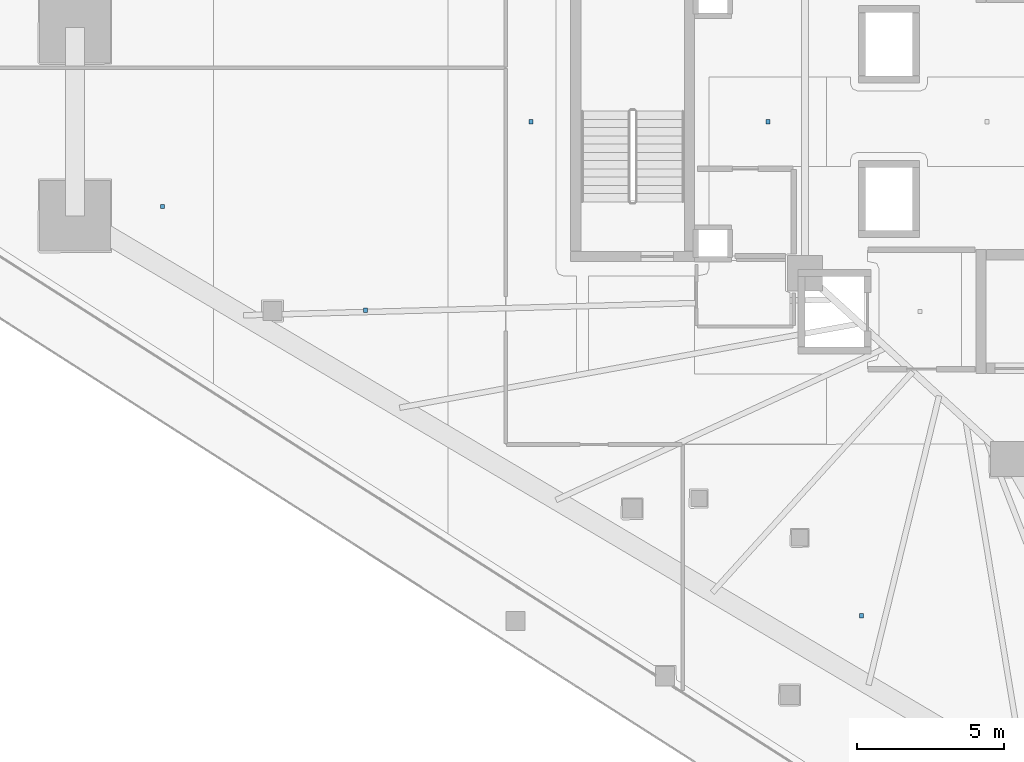
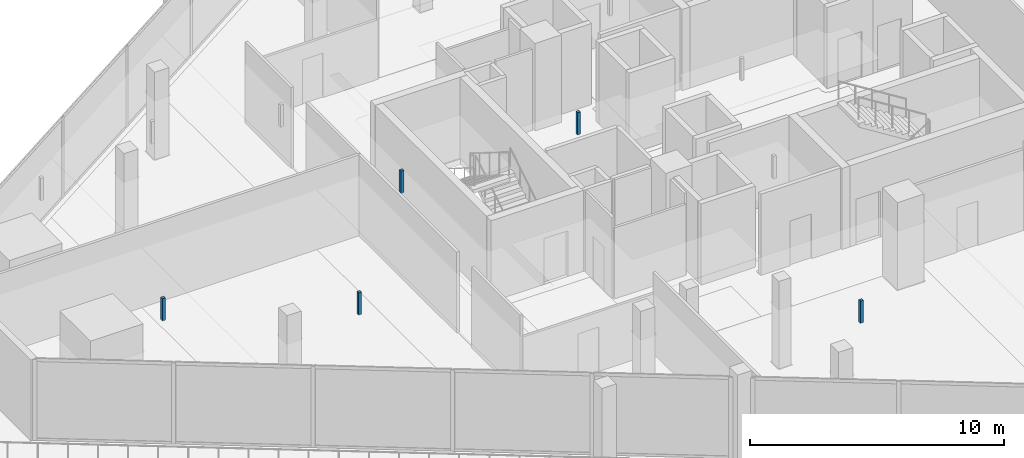
# One storey, part 32 of 45: 5 discrete accessories.
"""IFC4 building model written with IfcOpenShell, lengths in metres."""

from ifc_helpers import new_model, si_unit, direction, frame, origin, origin_2d, place, context, subcontext, project, spatial, rectangle, extrude, material, type_object, element, save


model = new_model("IFC4")

# Units and contexts
model_context = context("Model", 3, precision=1e-05, world=origin(), true_north=direction((0.0, 1.0)))
body_context = subcontext(model_context, "Body", "Model", "MODEL_VIEW")
ifc_project = project(units=[si_unit("LENGTHUNIT", "METRE"), si_unit("AREAUNIT", "SQUARE_METRE"), si_unit("VOLUMEUNIT", "CUBIC_METRE"), si_unit("PLANEANGLEUNIT", "RADIAN"), si_unit("MASSUNIT", "GRAM", prefix="KILO")], contexts=[model_context])

# Site, building, storey
site_placement = place(None, origin())
site = spatial("IfcSite", under=ifc_project, at=site_placement, CompositionType="ELEMENT")
building_placement = place(site_placement, origin())
building = spatial("IfcBuilding", under=site, at=building_placement, Name="Qorvath Tower", CompositionType="ELEMENT")
storey_placement = place(building_placement, frame((0.0, 0.0, 95.39990234375)))
storey = spatial("IfcBuildingStorey", under=building, at=storey_placement, Name="L21", CompositionType="ELEMENT", Elevation=95.39990234375)

# Discrete accessories
ifc_material = material(Name="Galvanised steel bracket", Category="steel")
discrete_accessory_type = type_object("IfcDiscreteAccessoryType", Name="DA-BRACKET", PredefinedType="BRACKET", material=ifc_material)
for number, where, z_axis, x_axis, name in (
    (1, (-39.797607421875, 0.0, 2.85986328125), (0.0, 0.0, 1.0), (1.0, 0.0, 0.0), "Acoustic Ceiling Suspension Hanger T1-L21-006"),
    (2, (-31.762451171875, 0.0, 2.85986328125), (0.0, 0.0, 1.0), (1.0, 0.0, 0.0), "Acoustic Ceiling Suspension Hanger T1-L21-007"),
    (3, (-28.586669921875, -16.774169921875, 2.85986328125), (0.0, 0.0, 1.0), (1.0, 0.0, 0.0), "Acoustic Ceiling Suspension Hanger T1-L21-012"),
    (4, (-52.31005859375, -2.885009765625, 2.85986328125), (0.0, 0.0, 1.0), (1.0, 0.0, 0.0), "Acoustic Ceiling Suspension Hanger T1-L21-024"),
    (5, (-45.416259765625, -6.4033203125, 2.85986328125), (0.0, 0.0, 1.0), (1.0, 0.0, 0.0), "Acoustic Ceiling Suspension Hanger T1-L21-025"),
):
    element("IfcDiscreteAccessory", number, at=place(storey_placement, frame(where, z_axis=z_axis, x_axis=x_axis)), inside=storey, type_object=discrete_accessory_type, Name=name, PredefinedType="NOTDEFINED", context=body_context, shape_type="SweptSolid", body=[
        extrude(rectangle(XDim=0.139892578125, YDim=0.139892578125, at=origin_2d()), origin(), (0.0, 0.0, 1.0), 1.070068359375),
    ])

save(model, "model.ifc")
